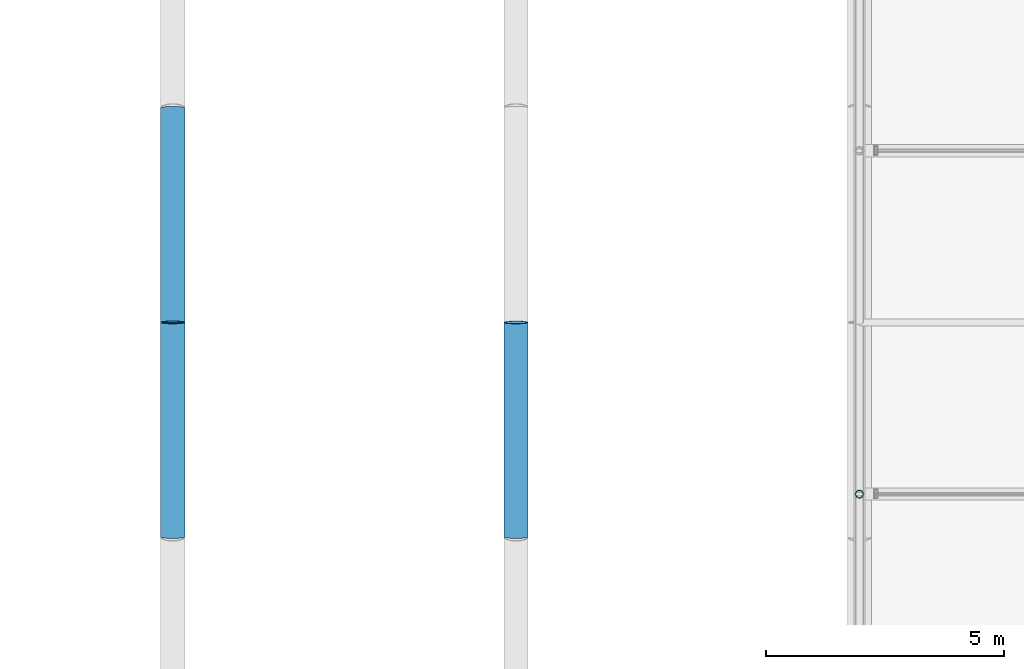
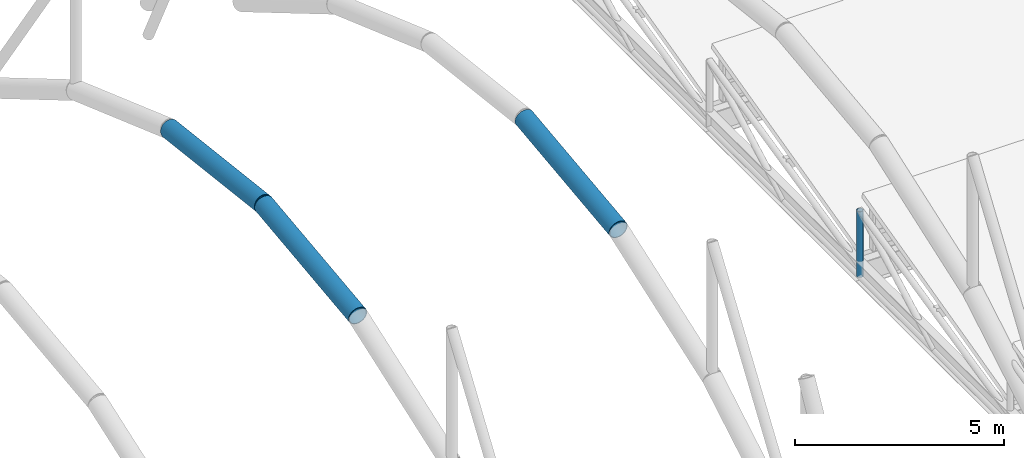
# One storey, part 39 of 144: 4 members.
"""IFC4 building model written with IfcOpenShell, lengths in metres."""

from ifc_helpers import new_model, si_unit, direction, frame, origin, origin_2d, place, context, subcontext, project, spatial, hollow_circle, extrude, material, material_profile, profile_set, type_object, element, save


model = new_model("IFC4")

# Units and contexts
model_context = context("Model", 3, precision=1e-05, world=origin(), true_north=direction((0.0, 1.0)))
body_context = subcontext(model_context, "Body", "Model", "MODEL_VIEW")
ifc_project = project(units=[si_unit("LENGTHUNIT", "METRE"), si_unit("AREAUNIT", "SQUARE_METRE"), si_unit("VOLUMEUNIT", "CUBIC_METRE"), si_unit("PLANEANGLEUNIT", "RADIAN"), si_unit("MASSUNIT", "GRAM", prefix="KILO")], contexts=[model_context])

# Site, building, storey
site_placement = place(None, origin())
site = spatial("IfcSite", under=ifc_project, at=site_placement, CompositionType="ELEMENT")
building_placement = place(site_placement, origin())
building = spatial("IfcBuilding", under=site, at=building_placement, Name="Yarey Park Central Fire Station", CompositionType="ELEMENT")
storey_placement = place(building_placement, frame((0.0, 0.0, 10.199951171875)))
storey = spatial("IfcBuildingStorey", under=building, at=storey_placement, Name="L03", CompositionType="ELEMENT", Elevation=10.199951171875)

# Members
ifc_material = material(Name="Steel ASTM A500 Gr. C", Category="steel")
ifc_material_profile_1 = material_profile(ifc_material, hollow_circle(Radius=0.25390625, WallThickness=0.02001953125, at=origin_2d()), Name="CHS 508x20")
ifc_profile_set_1 = profile_set([ifc_material_profile_1], Name="Steel ASTM A500 Gr. C")
member_type_1 = type_object("IfcMemberType", Name="STR_CHORD_CHS508", PredefinedType="CHORD", material=ifc_profile_set_1)
for number, where, z_axis, x_axis, name in (
    (1, (122.39990234375, 71.10009765625, 3.768798828125), (0.0, 0.993103448276, 0.11724137931), (-1.0, 0.0, 0.0), "Arched Roof Truss ART_10 Bottom Chord 4"),
    (2, (122.39990234375, 75.60009765625, 4.300048828125), (0.0, 0.993103448276, -0.11724137931), (-1.0, 0.0, 0.0), "Arched Roof Truss ART_10 Bottom Chord 5"),
    (3, (129.60009765625, 71.10009765625, 3.768798828125), (0.0, 0.993103448276, 0.11724137931), (-1.0, 0.0, 0.0), "Arched Roof Truss ART_11 Bottom Chord 4"),
):
    element("IfcMember", number, at=place(storey_placement, frame(where, z_axis=z_axis, x_axis=x_axis)), inside=storey, type_object=member_type_1, Name=name, PredefinedType="CHORD", context=body_context, shape_type="SweptSolid", body=[
        extrude(hollow_circle(Radius=0.25390625, WallThickness=0.02001953125, at=origin_2d()), origin(), (0.0, 0.0, 1.0), 4.53125),
    ])
ifc_material_profile_2 = material_profile(ifc_material, hollow_circle(Radius=0.084228515625, WallThickness=0.008056640625, at=origin_2d()), Name="CHS 168.3x8")
ifc_profile_set_2 = profile_set([ifc_material_profile_2], Name="Steel ASTM A500 Gr. C")
member_type_2 = type_object("IfcMemberType", Name="STR_WEB_CHS168", PredefinedType="BRACE", material=ifc_profile_set_2)
member_placement = place(storey_placement, frame((136.800048828125, 72.0, -0.64990234375), z_axis=(0.0, 0.0, 1.0), x_axis=(1.0, 0.0, 0.0)))
element("IfcMember", 4, at=member_placement, inside=storey, type_object=member_type_2, Name="SAW_T1_B4_VT", PredefinedType="BRACE", context=body_context, shape_type="SweptSolid", body=[
    extrude(hollow_circle(Radius=0.084228515625, WallThickness=0.008056640625, at=origin_2d()), origin(), (0.0, 0.0, 1.0), 1.925048828125),
])

save(model, "model.ifc")
